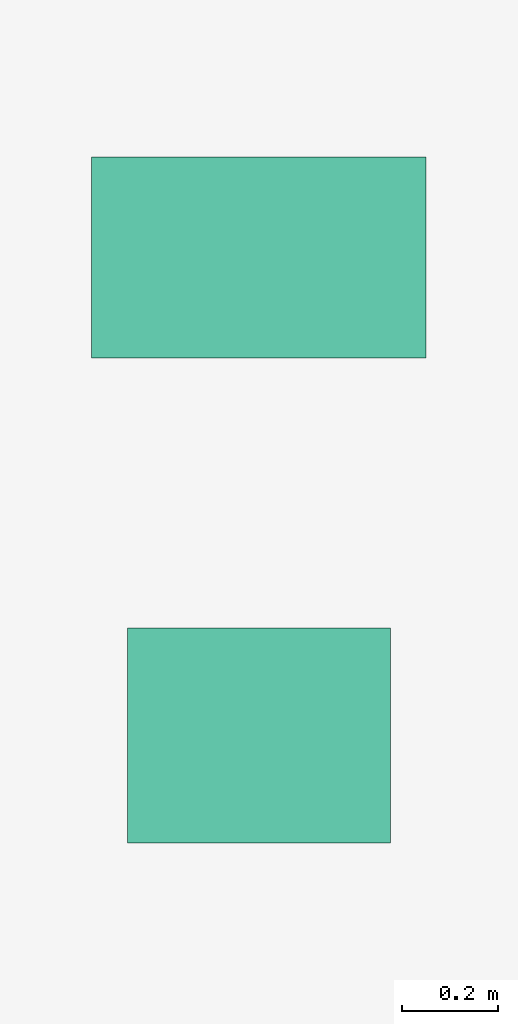
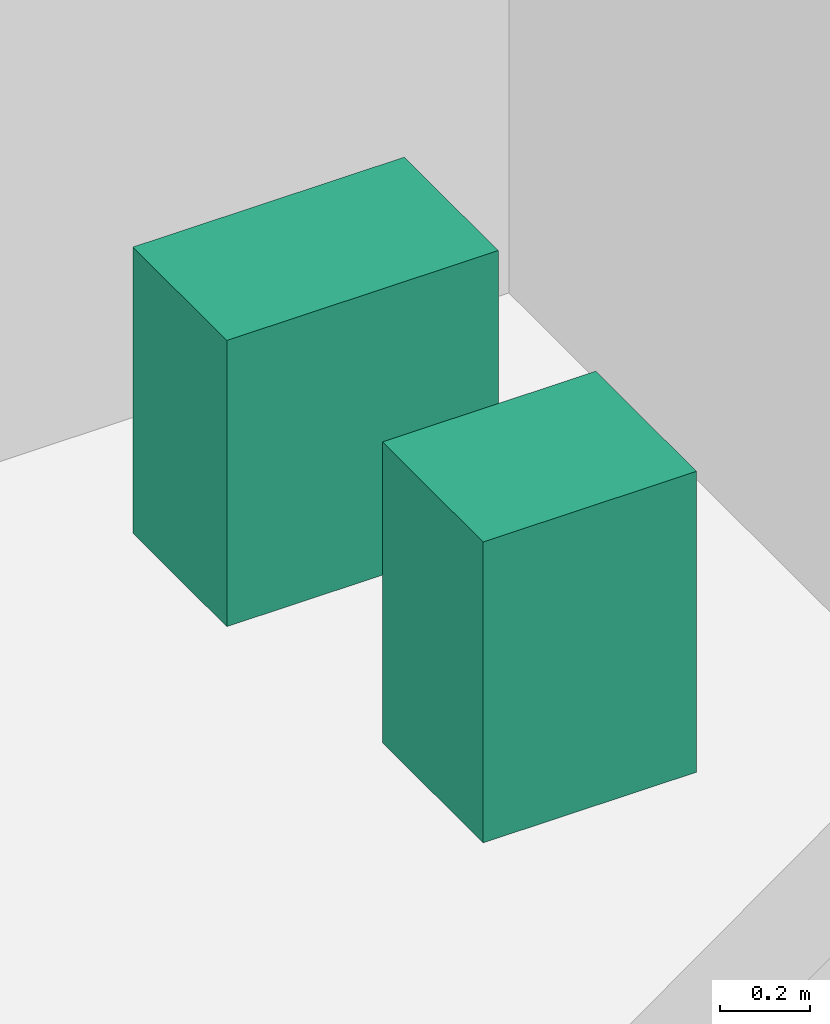
# One storey, part 34 of 34: 2 sanitary terminals.
"""IFC4 building model written with IfcOpenShell, lengths in metres."""

from ifc_helpers import new_model, si_unit, direction, frame, origin, origin_2d, place, context, subcontext, project, spatial, rectangle, extrude, source, transform, mapped, material, type_object, element, save


model = new_model("IFC4")

# Units and contexts
model_context = context("Model", 3, precision=1e-05, world=origin(), true_north=direction((0.0, 1.0)))
body_context = subcontext(model_context, "Body", "Model", "MODEL_VIEW")
ifc_project = project(units=[si_unit("LENGTHUNIT", "METRE"), si_unit("AREAUNIT", "SQUARE_METRE"), si_unit("VOLUMEUNIT", "CUBIC_METRE"), si_unit("PLANEANGLEUNIT", "RADIAN"), si_unit("MASSUNIT", "GRAM", prefix="KILO")], contexts=[model_context])

# Site, building, storey
site_placement = place(None, origin())
site = spatial("IfcSite", under=ifc_project, at=site_placement, CompositionType="ELEMENT")
building_placement = place(site_placement, origin())
building = spatial("IfcBuilding", under=site, at=building_placement, Name="Sumidabori Civic Tower", CompositionType="ELEMENT")
storey_placement = place(building_placement, frame((0.0, 0.0, 106.39990234375)))
storey = spatial("IfcBuildingStorey", under=building, at=storey_placement, Name="L27", CompositionType="ELEMENT", Elevation=106.39990234375)

# Sanitary terminals
ifc_material = material(Name="Vitreous Sanitary Porcelain")
sanitary_terminal_type_1 = type_object("IfcSanitaryTerminalType", Name="SN-WC-1", PredefinedType="TOILETPAN", material=ifc_material)
shared_shape_1 = source(origin(), body_context, "Body", "SweptSolid", [
    extrude(rectangle(XDim=0.699951171875, YDim=0.419921875, at=origin_2d()), origin(), (0.0, 0.0, 1.0), 0.780029296875),
])
sanitary_terminal_1_placement = place(storey_placement, frame((10.800048828125, 21.85009765625, 0.0), z_axis=(0.0, 0.0, 1.0), x_axis=(1.0, 0.0, 0.0)))
element("IfcSanitaryTerminal", 1, at=sanitary_terminal_1_placement, inside=storey, type_object=sanitary_terminal_type_1, Name="Accessible WC Pan L27", PredefinedType="TOILETPAN", context=body_context, shape_type="MappedRepresentation", body=[
    mapped(shared_shape_1, transform((0.0, 0.0, 0.0), x_axis=(1.0, 0.0, 0.0), y_axis=(0.0, 1.0, 0.0), z_axis=(0.0, 0.0, 1.0), scale=1.0)),
])
sanitary_terminal_type_2 = type_object("IfcSanitaryTerminalType", Name="SN-BAS-1", PredefinedType="WASHHANDBASIN", material=ifc_material)
shared_shape_2 = source(origin(), body_context, "Body", "SweptSolid", [
    extrude(rectangle(XDim=0.550048828125, YDim=0.449951171875, at=origin_2d()), origin(), (0.0, 0.0, 1.0), 0.820068359375),
])
sanitary_terminal_2_placement = place(storey_placement, frame((10.800048828125, 20.85009765625, 0.0), z_axis=(0.0, 0.0, 1.0), x_axis=(1.0, 0.0, 0.0)))
element("IfcSanitaryTerminal", 2, at=sanitary_terminal_2_placement, inside=storey, type_object=sanitary_terminal_type_2, Name="Accessible Basin L27", PredefinedType="WASHHANDBASIN", context=body_context, shape_type="MappedRepresentation", body=[
    mapped(shared_shape_2, transform((0.0, 0.0, 0.0), x_axis=(1.0, 0.0, 0.0), y_axis=(0.0, 1.0, 0.0), z_axis=(0.0, 0.0, 1.0), scale=1.0)),
])

save(model, "model.ifc")
